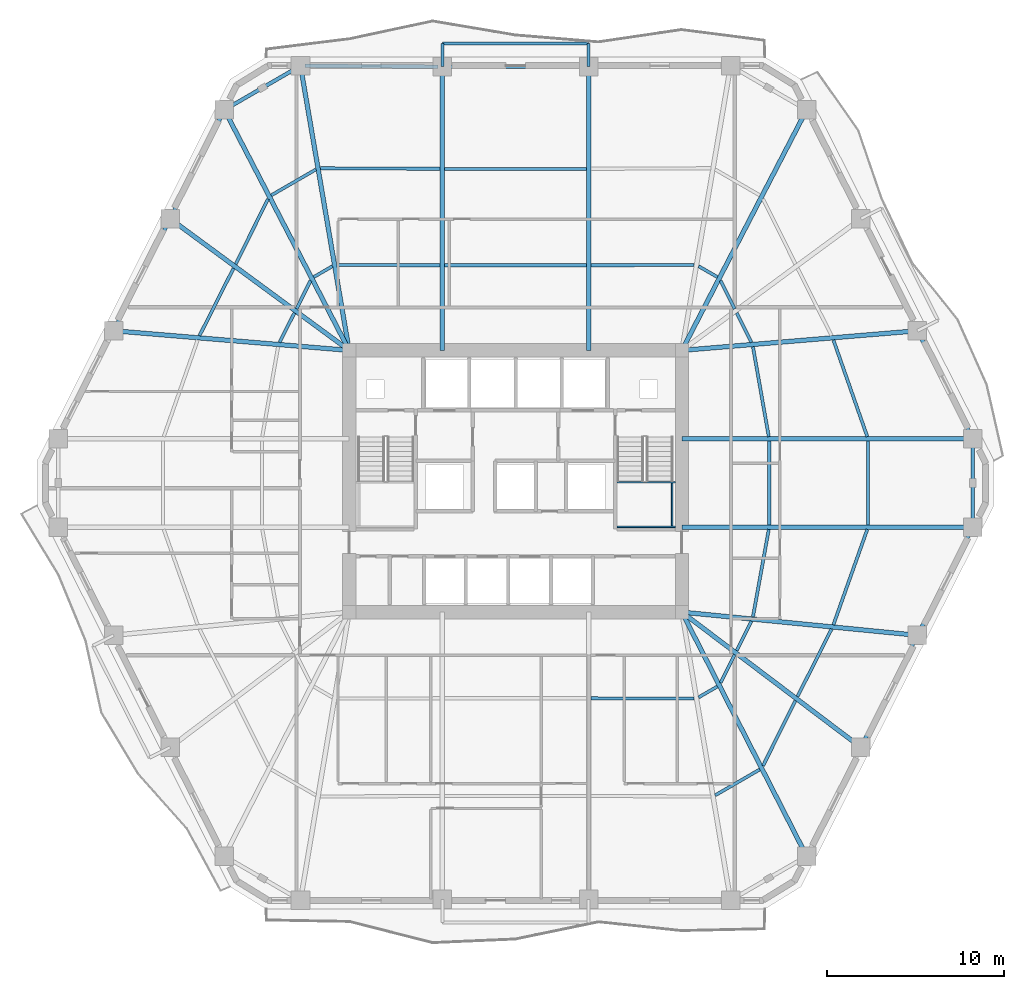
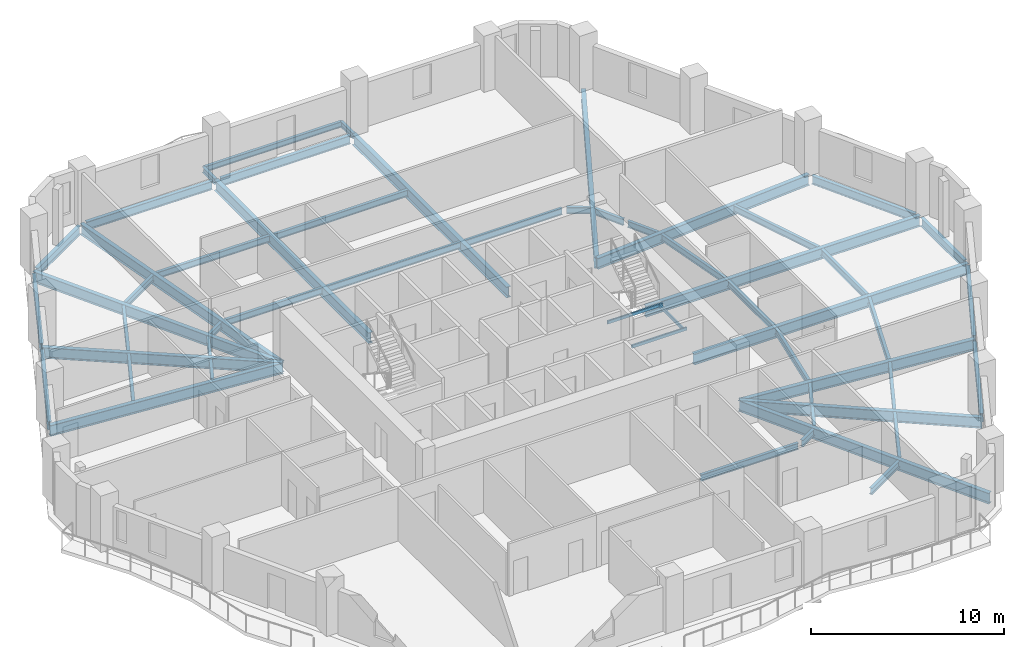
# One storey, part 2 of 10: 55 beams.
"""IFC4 building model written with IfcOpenShell, lengths in metres."""

from ifc_helpers import new_model, si_unit, direction, frame, origin, origin_2d, place, context, subcontext, project, spatial, hollow_rectangle, i_section, extrude, material, material_profile, profile_set, type_object, element, save


model = new_model("IFC4")

# Units and contexts
model_context = context("Model", 3, precision=1e-05, world=origin(), true_north=direction((0.0, 1.0)))
body_context = subcontext(model_context, "Body", "Model", "MODEL_VIEW")
ifc_project = project(units=[si_unit("LENGTHUNIT", "METRE"), si_unit("AREAUNIT", "SQUARE_METRE"), si_unit("VOLUMEUNIT", "CUBIC_METRE"), si_unit("PLANEANGLEUNIT", "RADIAN"), si_unit("MASSUNIT", "GRAM", prefix="KILO")], contexts=[model_context])

# Site, building, storey
site_placement = place(None, origin())
site = spatial("IfcSite", under=ifc_project, at=site_placement, CompositionType="ELEMENT")
building_placement = place(site_placement, origin())
building = spatial("IfcBuilding", under=site, at=building_placement, Name="Cinnabar Lancet Tower", CompositionType="ELEMENT")
storey_placement = place(building_placement, frame((0.0, 0.0, 87.10009765625)))
storey = spatial("IfcBuildingStorey", under=building, at=storey_placement, Name="L22", CompositionType="ELEMENT", Elevation=87.10009765625)

# Beams
ifc_material_1 = material(Name="Structural steel S355", Category="steel")
ifc_material_profile_1 = material_profile(ifc_material_1, i_section(OverallWidth=0.177978515625, OverallDepth=0.406494140625, WebThickness=0.0078125, FlangeThickness=0.0126953125, FilletRadius=0.01025390625, at=origin_2d()), Name="UKB 406x178x60")
ifc_profile_set_1 = profile_set([ifc_material_profile_1], Name="Structural steel S355")
beam_type_1 = type_object("IfcBeamType", Name="STR-BM-JST-406", PredefinedType="JOIST", material=ifc_profile_set_1)
beam_1_placement = place(storey_placement, frame((36.64892578125, 13.669921875, -0.423095703125), z_axis=(0.999996726205, -0.002558823789, 0.0), x_axis=(0.002558823789, 0.999996726205, 0.0)))
element("IfcBeam", 1, at=beam_1_placement, inside=storey, type_object=beam_type_1, Name="L22 Secondary Floor Joist 14", PredefinedType="JOIST", context=body_context, shape_type="SweptSolid", body=[
    extrude(i_section(OverallWidth=0.177978515625, OverallDepth=0.406494140625, WebThickness=0.0078125, FlangeThickness=0.0126953125, FilletRadius=0.01025390625, at=origin_2d()), origin(), (0.0, 0.0, 1.0), 5.820068359375),
])
beam_2_placement = place(storey_placement, frame((43.64697265625, 8.201904296875, -0.423095703125), z_axis=(0.865230791262, 0.501373790551, 0.0), x_axis=(-0.501373790551, 0.865230791262, 0.0)))
element("IfcBeam", 2, at=beam_2_placement, inside=storey, type_object=beam_type_1, Name="L22 Secondary Floor Joist 15", PredefinedType="JOIST", context=body_context, shape_type="SweptSolid", body=[
    extrude(i_section(OverallWidth=0.177978515625, OverallDepth=0.406494140625, WebThickness=0.0078125, FlangeThickness=0.0126953125, FilletRadius=0.01025390625, at=origin_2d()), origin(), (0.0, 0.0, 1.0), 2.907958984375),
])
beam_3_placement = place(storey_placement, frame((42.715087890625, 13.721923828125, -0.423095703125), z_axis=(0.864870018283, 0.501995867986, 0.0), x_axis=(-0.501995867986, 0.864870018283, 0.0)))
element("IfcBeam", 3, at=beam_3_placement, inside=storey, type_object=beam_type_1, Name="L22 Secondary Floor Joist 16", PredefinedType="JOIST", context=body_context, shape_type="SweptSolid", body=[
    extrude(i_section(OverallWidth=0.177978515625, OverallDepth=0.406494140625, WebThickness=0.0078125, FlangeThickness=0.0126953125, FilletRadius=0.01025390625, at=origin_2d()), origin(), (0.0, 0.0, 1.0), 1.22314453125),
])
beam_4_placement = place(storey_placement, frame((46.343017578125, 9.864990234375, -0.423095703125), z_axis=(0.445831561814, 0.895116874207, 0.0), x_axis=(-0.895116874207, 0.445831561814, 0.0)))
element("IfcBeam", 4, at=beam_4_placement, inside=storey, type_object=beam_type_1, Name="L22 Secondary Floor Joist 17", PredefinedType="JOIST", context=body_context, shape_type="SweptSolid", body=[
    extrude(i_section(OverallWidth=0.177978515625, OverallDepth=0.406494140625, WebThickness=0.0078125, FlangeThickness=0.0126953125, FilletRadius=0.01025390625, at=origin_2d()), origin(), (0.0, 0.0, 1.0), 4.099853515625),
])
beam_5_placement = place(storey_placement, frame((43.9541015625, 14.541015625, -0.423095703125), z_axis=(0.445778141453, 0.895143479339, 0.0), x_axis=(-0.895143479339, 0.445778141453, 0.0)))
element("IfcBeam", 5, at=beam_5_placement, inside=storey, type_object=beam_type_1, Name="L22 Secondary Floor Joist 18", PredefinedType="JOIST", context=body_context, shape_type="SweptSolid", body=[
    extrude(i_section(OverallWidth=0.177978515625, OverallDepth=0.406494140625, WebThickness=0.0078125, FlangeThickness=0.0126953125, FilletRadius=0.01025390625, at=origin_2d()), origin(), (0.0, 0.0, 1.0), 1.76953125),
])
beam_6_placement = place(storey_placement, frame((48.287109375, 13.76611328125, -0.423095703125), z_axis=(0.450763900798, 0.892643213012, 0.0), x_axis=(-0.892643213012, 0.450763900798, 0.0)))
element("IfcBeam", 6, at=beam_6_placement, inside=storey, type_object=beam_type_1, Name="L22 Secondary Floor Joist 19", PredefinedType="JOIST", context=body_context, shape_type="SweptSolid", body=[
    extrude(i_section(OverallWidth=0.177978515625, OverallDepth=0.406494140625, WebThickness=0.0078125, FlangeThickness=0.0126953125, FilletRadius=0.01025390625, at=origin_2d()), origin(), (0.0, 0.0, 1.0), 4.25927734375),
])
beam_7_placement = place(storey_placement, frame((44.85791015625, 16.35498046875, -0.423095703125), z_axis=(0.450944553771, 0.892551964551, 0.0), x_axis=(-0.892551964551, 0.450944553771, 0.0)))
element("IfcBeam", 7, at=beam_7_placement, inside=storey, type_object=beam_type_1, Name="L22 Secondary Floor Joist 20", PredefinedType="JOIST", context=body_context, shape_type="SweptSolid", body=[
    extrude(i_section(OverallWidth=0.177978515625, OverallDepth=0.406494140625, WebThickness=0.0078125, FlangeThickness=0.0126953125, FilletRadius=0.01025390625, at=origin_2d()), origin(), (0.0, 0.0, 1.0), 1.8564453125),
])
beam_8_placement = place(storey_placement, frame((50.31201171875, 17.81298828125, -0.423095703125), z_axis=(0.334725039774, 0.942315842883, 0.0), x_axis=(-0.942315842883, 0.334725039774, 0.0)))
element("IfcBeam", 8, at=beam_8_placement, inside=storey, type_object=beam_type_1, Name="L22 Secondary Floor Joist 21", PredefinedType="JOIST", context=body_context, shape_type="SweptSolid", body=[
    extrude(i_section(OverallWidth=0.177978515625, OverallDepth=0.406494140625, WebThickness=0.0078125, FlangeThickness=0.0126953125, FilletRadius=0.01025390625, at=origin_2d()), origin(), (0.0, 0.0, 1.0), 5.702880859375),
])
beam_9_placement = place(storey_placement, frame((45.779052734375, 18.259033203125, -0.423095703125), z_axis=(0.177894326387, 0.984049596636, 0.0), x_axis=(-0.984049596636, 0.177894326387, 0.0)))
element("IfcBeam", 9, at=beam_9_placement, inside=storey, type_object=beam_type_1, Name="L22 Secondary Floor Joist 22", PredefinedType="JOIST", context=body_context, shape_type="SweptSolid", body=[
    extrude(i_section(OverallWidth=0.177978515625, OverallDepth=0.406494140625, WebThickness=0.0078125, FlangeThickness=0.0126953125, FilletRadius=0.01025390625, at=origin_2d()), origin(), (0.0, 0.0, 1.0), 5.0078125),
])
for number, where, z_axis, x_axis, name in (
    (10, (52.26708984375, 23.44091796875, -0.423095703125), (0.0, 1.0, 0.0), (-1.0, 0.0, 0.0), "L22 Secondary Floor Joist 23"),
    (11, (46.693115234375, 23.44091796875, -0.423095703125), (0.0, 1.0, 0.0), (-1.0, 0.0, 0.0), "L22 Secondary Floor Joist 24"),
):
    element("IfcBeam", number, at=place(storey_placement, frame(where, z_axis=z_axis, x_axis=x_axis)), inside=storey, type_object=beam_type_1, Name=name, PredefinedType="JOIST", context=body_context, shape_type="SweptSolid", body=[
        extrude(i_section(OverallWidth=0.177978515625, OverallDepth=0.406494140625, WebThickness=0.0078125, FlangeThickness=0.0126953125, FilletRadius=0.01025390625, at=origin_2d()), origin(), (0.0, 0.0, 1.0), 4.718017578125),
    ])
beam_10_placement = place(storey_placement, frame((52.221923828125, 28.4130859375, -0.423095703125), z_axis=(-0.330949596087, 0.943648432866, 0.0), x_axis=(-0.943648432866, -0.330949596087, 0.0)))
element("IfcBeam", 12, at=beam_10_placement, inside=storey, type_object=beam_type_1, Name="L22 Secondary Floor Joist 25", PredefinedType="JOIST", context=body_context, shape_type="SweptSolid", body=[
    extrude(i_section(OverallWidth=0.177978515625, OverallDepth=0.406494140625, WebThickness=0.0078125, FlangeThickness=0.0126953125, FilletRadius=0.01025390625, at=origin_2d()), origin(), (0.0, 0.0, 1.0), 5.77099609375),
])
beam_11_placement = place(storey_placement, frame((46.6708984375, 28.4130859375, -0.423095703125), z_axis=(-0.173501142861, 0.984833667898, 0.0), x_axis=(-0.984833667898, -0.173501142861, 0.0)))
element("IfcBeam", 13, at=beam_11_placement, inside=storey, type_object=beam_type_1, Name="L22 Secondary Floor Joist 26", PredefinedType="JOIST", context=body_context, shape_type="SweptSolid", body=[
    extrude(i_section(OverallWidth=0.177978515625, OverallDepth=0.406494140625, WebThickness=0.0078125, FlangeThickness=0.0126953125, FilletRadius=0.01025390625, at=origin_2d()), origin(), (0.0, 0.0, 1.0), 5.14599609375),
])
beam_12_placement = place(storey_placement, frame((45.695068359375, 33.72900390625, -0.423095703125), z_axis=(-0.451156365602, 0.892444919184, 0.0), x_axis=(-0.892444919184, -0.451156365602, 0.0)))
element("IfcBeam", 14, at=beam_12_placement, inside=storey, type_object=beam_type_1, Name="L22 Secondary Floor Joist 28", PredefinedType="JOIST", context=body_context, shape_type="SweptSolid", body=[
    extrude(i_section(OverallWidth=0.177978515625, OverallDepth=0.406494140625, WebThickness=0.0078125, FlangeThickness=0.0126953125, FilletRadius=0.01025390625, at=origin_2d()), origin(), (0.0, 0.0, 1.0), 1.85546875),
])
beam_13_placement = place(storey_placement, frame((44.742919921875, 35.614990234375, -0.423095703125), z_axis=(-0.446110386834, 0.894977945404, 0.0), x_axis=(-0.894977945404, -0.446110386834, 0.0)))
element("IfcBeam", 15, at=beam_13_placement, inside=storey, type_object=beam_type_1, Name="L22 Secondary Floor Joist 30", PredefinedType="JOIST", context=body_context, shape_type="SweptSolid", body=[
    extrude(i_section(OverallWidth=0.177978515625, OverallDepth=0.406494140625, WebThickness=0.0078125, FlangeThickness=0.0126953125, FilletRadius=0.01025390625, at=origin_2d()), origin(), (0.0, 0.0, 1.0), 1.77099609375),
])
beam_14_placement = place(storey_placement, frame((43.77392578125, 37.404052734375, -0.423095703125), z_axis=(-0.865071007494, 0.501649431369, 0.0), x_axis=(-0.501649431369, -0.865071007494, 0.0)))
element("IfcBeam", 16, at=beam_14_placement, inside=storey, type_object=beam_type_1, Name="L22 Secondary Floor Joist 32", PredefinedType="JOIST", context=body_context, shape_type="SweptSolid", body=[
    extrude(i_section(OverallWidth=0.177978515625, OverallDepth=0.406494140625, WebThickness=0.0078125, FlangeThickness=0.0126953125, FilletRadius=0.01025390625, at=origin_2d()), origin(), (0.0, 0.0, 1.0), 1.223876953125),
])
beam_15_placement = place(storey_placement, frame((42.468994140625, 38.0849609375, -0.423095703125), z_axis=(-0.999996726205, -0.002558823789, 0.0), x_axis=(0.002558823789, -0.999996726205, 0.0)))
element("IfcBeam", 17, at=beam_15_placement, inside=storey, type_object=beam_type_1, Name="L22 Secondary Floor Joist 34", PredefinedType="JOIST", context=body_context, shape_type="SweptSolid", body=[
    extrude(i_section(OverallWidth=0.177978515625, OverallDepth=0.406494140625, WebThickness=0.0078125, FlangeThickness=0.0126953125, FilletRadius=0.01025390625, at=origin_2d()), origin(), (0.0, 0.0, 1.0), 5.820068359375),
])
for number, where, z_axis, x_axis, name in (
    (18, (36.39501953125, 43.50390625, -0.423095703125), (-1.0, 0.0, 0.0), (0.0, -1.0, 0.0), "L22 Secondary Floor Joist 35"),
    (19, (36.39501953125, 38.070068359375, -0.423095703125), (-1.0, 0.0, 0.0), (0.0, -1.0, 0.0), "L22 Secondary Floor Joist 36"),
):
    element("IfcBeam", number, at=place(storey_placement, frame(where, z_axis=z_axis, x_axis=x_axis)), inside=storey, type_object=beam_type_1, Name=name, PredefinedType="JOIST", context=body_context, shape_type="SweptSolid", body=[
        extrude(i_section(OverallWidth=0.177978515625, OverallDepth=0.406494140625, WebThickness=0.0078125, FlangeThickness=0.0126953125, FilletRadius=0.01025390625, at=origin_2d()), origin(), (0.0, 0.0, 1.0), 7.989990234375),
    ])
beam_16_placement = place(storey_placement, frame((28.15087890625, 43.5048828125, -0.423095703125), z_axis=(-0.99998860979, 0.004772870136, 0.0), x_axis=(-0.004772870136, -0.99998860979, 0.0)))
element("IfcBeam", 20, at=beam_16_placement, inside=storey, type_object=beam_type_1, Name="L22 Secondary Floor Joist 37", PredefinedType="JOIST", context=body_context, shape_type="SweptSolid", body=[
    extrude(i_section(OverallWidth=0.177978515625, OverallDepth=0.406494140625, WebThickness=0.0078125, FlangeThickness=0.0126953125, FilletRadius=0.01025390625, at=origin_2d()), origin(), (0.0, 0.0, 1.0), 6.751953125),
])
beam_17_placement = place(storey_placement, frame((28.15087890625, 38.070068359375, -0.423095703125), z_axis=(-0.99999672593, 0.00255893113, 0.0), x_axis=(-0.00255893113, -0.99999672593, 0.0)))
element("IfcBeam", 21, at=beam_17_placement, inside=storey, type_object=beam_type_1, Name="L22 Secondary Floor Joist 38", PredefinedType="JOIST", context=body_context, shape_type="SweptSolid", body=[
    extrude(i_section(OverallWidth=0.177978515625, OverallDepth=0.406494140625, WebThickness=0.0078125, FlangeThickness=0.0126953125, FilletRadius=0.01025390625, at=origin_2d()), origin(), (0.0, 0.0, 1.0), 5.81982421875),
])
beam_18_placement = place(storey_placement, frame((21.153076171875, 43.469970703125, -0.423095703125), z_axis=(-0.865230791262, -0.501373790551, 0.0), x_axis=(0.501373790551, -0.865230791262, 0.0)))
element("IfcBeam", 22, at=beam_18_placement, inside=storey, type_object=beam_type_1, Name="L22 Secondary Floor Joist 39", PredefinedType="JOIST", context=body_context, shape_type="SweptSolid", body=[
    extrude(i_section(OverallWidth=0.177978515625, OverallDepth=0.406494140625, WebThickness=0.0078125, FlangeThickness=0.0126953125, FilletRadius=0.01025390625, at=origin_2d()), origin(), (0.0, 0.0, 1.0), 2.907958984375),
])
beam_19_placement = place(storey_placement, frame((22.0849609375, 38.01806640625, -0.423095703125), z_axis=(-0.865121189797, -0.501562884357, 0.0), x_axis=(0.501562884357, -0.865121189797, 0.0)))
element("IfcBeam", 23, at=beam_19_placement, inside=storey, type_object=beam_type_1, Name="L22 Secondary Floor Joist 40", PredefinedType="JOIST", context=body_context, shape_type="SweptSolid", body=[
    extrude(i_section(OverallWidth=0.177978515625, OverallDepth=0.406494140625, WebThickness=0.0078125, FlangeThickness=0.0126953125, FilletRadius=0.01025390625, at=origin_2d()), origin(), (0.0, 0.0, 1.0), 1.22412109375),
])
beam_20_placement = place(storey_placement, frame((18.45703125, 41.80810546875, -0.423095703125), z_axis=(-0.445665476617, -0.895199577163, 0.0), x_axis=(0.895199577163, -0.445665476617, 0.0)))
element("IfcBeam", 24, at=beam_20_placement, inside=storey, type_object=beam_type_1, Name="L22 Secondary Floor Joist 41", PredefinedType="JOIST", context=body_context, shape_type="SweptSolid", body=[
    extrude(i_section(OverallWidth=0.177978515625, OverallDepth=0.406494140625, WebThickness=0.0078125, FlangeThickness=0.0126953125, FilletRadius=0.01025390625, at=origin_2d()), origin(), (0.0, 0.0, 1.0), 4.10205078125),
])
beam_21_placement = place(storey_placement, frame((20.846923828125, 37.199951171875, -0.423095703125), z_axis=(-0.446110386834, -0.894977945404, 0.0), x_axis=(0.894977945404, -0.446110386834, 0.0)))
element("IfcBeam", 25, at=beam_21_placement, inside=storey, type_object=beam_type_1, Name="L22 Secondary Floor Joist 42", PredefinedType="JOIST", context=body_context, shape_type="SweptSolid", body=[
    extrude(i_section(OverallWidth=0.177978515625, OverallDepth=0.406494140625, WebThickness=0.0078125, FlangeThickness=0.0126953125, FilletRadius=0.01025390625, at=origin_2d()), origin(), (0.0, 0.0, 1.0), 1.77099609375),
])
beam_22_placement = place(storey_placement, frame((16.512939453125, 37.906005859375, -0.423095703125), z_axis=(-0.450763900798, -0.892643213012, 0.0), x_axis=(0.892643213012, -0.450763900798, 0.0)))
element("IfcBeam", 26, at=beam_22_placement, inside=storey, type_object=beam_type_1, Name="L22 Secondary Floor Joist 43", PredefinedType="JOIST", context=body_context, shape_type="SweptSolid", body=[
    extrude(i_section(OverallWidth=0.177978515625, OverallDepth=0.406494140625, WebThickness=0.0078125, FlangeThickness=0.0126953125, FilletRadius=0.01025390625, at=origin_2d()), origin(), (0.0, 0.0, 1.0), 4.25927734375),
])
beam_23_placement = place(storey_placement, frame((19.94189453125, 35.385009765625, -0.423095703125), z_axis=(-0.451051565643, -0.892497890827, 0.0), x_axis=(0.892497890827, -0.451051565643, 0.0)))
element("IfcBeam", 27, at=beam_23_placement, inside=storey, type_object=beam_type_1, Name="L22 Secondary Floor Joist 44", PredefinedType="JOIST", context=body_context, shape_type="SweptSolid", body=[
    extrude(i_section(OverallWidth=0.177978515625, OverallDepth=0.406494140625, WebThickness=0.0078125, FlangeThickness=0.0126953125, FilletRadius=0.01025390625, at=origin_2d()), origin(), (0.0, 0.0, 1.0), 1.85546875),
])
ifc_material_2 = material(Name="Structural steel S355", Category="steel")
ifc_material_profile_2 = material_profile(ifc_material_2, hollow_rectangle(XDim=0.10009765625, YDim=0.199951171875, WallThickness=0.008056640625, InnerFilletRadius=0.00390625, OuterFilletRadius=0.011962890625, at=origin_2d()), Name="RHS 200x100x8")
ifc_profile_set_2 = profile_set([ifc_material_profile_2], Name="Structural steel S355")
beam_type_2 = type_object("IfcBeamType", Name="STR-BM-LND-203", PredefinedType="BEAM", material=ifc_profile_set_2)
for number, where, z_axis, x_axis, name in (
    (28, (38.1201171875, 23.330078125, 1.474853515625), (1.0, 0.0, 0.0), (0.0, 1.0, 0.0), "L22 ST-2-L22 Landing Support Beam S"),
    (29, (38.1201171875, 25.844970703125, 1.474853515625), (1.0, 0.0, 0.0), (0.0, 1.0, 0.0), "L22 ST-2-L22 Landing Support Beam N"),
):
    element("IfcBeam", number, at=place(storey_placement, frame(where, z_axis=z_axis, x_axis=x_axis)), inside=storey, type_object=beam_type_2, Name=name, PredefinedType="BEAM", context=body_context, shape_type="SweptSolid", body=[
        extrude(hollow_rectangle(XDim=0.10009765625, YDim=0.199951171875, WallThickness=0.008056640625, InnerFilletRadius=0.00390625, OuterFilletRadius=0.011962890625, at=origin_2d()), origin(), (0.0, 0.0, 1.0), 3.27978515625),
    ])
beam_24_placement = place(storey_placement, frame((41.219970703125, 23.3798828125, 1.474853515625), z_axis=(0.0, 1.0, 0.0), x_axis=(-1.0, 0.0, 0.0)))
element("IfcBeam", 30, at=beam_24_placement, inside=storey, type_object=beam_type_2, Name="L22 ST-2-L22 Landing Side Trimmer Beam", PredefinedType="BEAM", context=body_context, shape_type="SweptSolid", body=[
    extrude(hollow_rectangle(XDim=0.10009765625, YDim=0.199951171875, WallThickness=0.008056640625, InnerFilletRadius=0.00390625, OuterFilletRadius=0.011962890625, at=origin_2d()), origin(), (0.0, 0.0, 1.0), 2.4150390625),
])
ifc_material_3 = material(Name="Structural steel S355", Category="steel")
ifc_material_profile_3 = material_profile(ifc_material_3, i_section(OverallWidth=0.209228515625, OverallDepth=0.533203125, WebThickness=0.010009765625, FlangeThickness=0.015625, FilletRadius=0.0126953125, at=origin_2d()), Name="UKB 533x210x92")
ifc_profile_set_3 = profile_set([ifc_material_profile_3], Name="Structural steel S355")
beam_type_3 = type_object("IfcBeamType", Name="STR-BM-SPN-533", PredefinedType="SPANDREL", material=ifc_profile_set_3)
beam_25_placement = place(storey_placement, frame((51.971923828125, 11.132080078125, -0.487060546875), z_axis=(0.450703143926, 0.892673891214, 0.0), x_axis=(-0.892673891214, 0.450703143926, 0.0)))
element("IfcBeam", 31, at=beam_25_placement, inside=storey, type_object=beam_type_3, Name="L22 Perimeter Spandrel 6", PredefinedType="SPANDREL", context=body_context, shape_type="SweptSolid", body=[
    extrude(i_section(OverallWidth=0.209228515625, OverallDepth=0.533203125, WebThickness=0.010009765625, FlangeThickness=0.015625, FilletRadius=0.0126953125, at=origin_2d()), origin(), (0.0, 0.0, 1.0), 6.570068359375),
])
beam_26_placement = place(storey_placement, frame((55.159912109375, 17.443115234375, -0.487060546875), z_axis=(0.456024522632, 0.889967209934, 0.0), x_axis=(-0.889967209934, 0.456024522632, 0.0)))
element("IfcBeam", 32, at=beam_26_placement, inside=storey, type_object=beam_type_3, Name="L22 Perimeter Spandrel 7", PredefinedType="SPANDREL", context=body_context, shape_type="SweptSolid", body=[
    extrude(i_section(OverallWidth=0.209228515625, OverallDepth=0.533203125, WebThickness=0.010009765625, FlangeThickness=0.015625, FilletRadius=0.0126953125, at=origin_2d()), origin(), (0.0, 0.0, 1.0), 6.34619140625),
])
beam_27_placement = place(storey_placement, frame((58.16796875, 23.56396484375, -0.487060546875), z_axis=(0.0, 1.0, 0.0), x_axis=(-1.0, 0.0, 0.0)))
element("IfcBeam", 33, at=beam_27_placement, inside=storey, type_object=beam_type_3, Name="L22 Perimeter Spandrel 8", PredefinedType="SPANDREL", context=body_context, shape_type="SweptSolid", body=[
    extrude(i_section(OverallWidth=0.209228515625, OverallDepth=0.533203125, WebThickness=0.010009765625, FlangeThickness=0.015625, FilletRadius=0.0126953125, at=origin_2d()), origin(), (0.0, 0.0, 1.0), 4.471923828125),
])
beam_28_placement = place(storey_placement, frame((58.053955078125, 28.509033203125, -0.487060546875), z_axis=(-0.456024522632, 0.889967209934, 0.0), x_axis=(-0.889967209934, -0.456024522632, 0.0)))
element("IfcBeam", 34, at=beam_28_placement, inside=storey, type_object=beam_type_3, Name="L22 Perimeter Spandrel 9", PredefinedType="SPANDREL", context=body_context, shape_type="SweptSolid", body=[
    extrude(i_section(OverallWidth=0.209228515625, OverallDepth=0.533203125, WebThickness=0.010009765625, FlangeThickness=0.015625, FilletRadius=0.0126953125, at=origin_2d()), origin(), (0.0, 0.0, 1.0), 6.34619140625),
])
beam_29_placement = place(storey_placement, frame((36.27197265625, 49.258056640625, -0.487060546875), z_axis=(-1.0, 0.0, 0.0), x_axis=(0.0, -1.0, 0.0)))
element("IfcBeam", 35, at=beam_29_placement, inside=storey, type_object=beam_type_3, Name="L22 Perimeter Spandrel 14", PredefinedType="SPANDREL", context=body_context, shape_type="SweptSolid", body=[
    extrude(i_section(OverallWidth=0.209228515625, OverallDepth=0.533203125, WebThickness=0.010009765625, FlangeThickness=0.015625, FilletRadius=0.0126953125, at=origin_2d()), origin(), (0.0, 0.0, 1.0), 7.743896484375),
])
beam_30_placement = place(storey_placement, frame((28.028076171875, 49.260009765625, -0.487060546875), z_axis=(-0.99997856757, 0.006547090947, 0.0), x_axis=(-0.006547090947, -0.99997856757, 0.0)))
element("IfcBeam", 36, at=beam_30_placement, inside=storey, type_object=beam_type_3, Name="L22 Perimeter Spandrel 15", PredefinedType="SPANDREL", context=body_context, shape_type="SweptSolid", body=[
    extrude(i_section(OverallWidth=0.209228515625, OverallDepth=0.533203125, WebThickness=0.010009765625, FlangeThickness=0.015625, FilletRadius=0.0126953125, at=origin_2d()), origin(), (0.0, 0.0, 1.0), 7.495361328125),
])
beam_31_placement = place(storey_placement, frame((20.06689453125, 49.18603515625, -0.487060546875), z_axis=(-0.865147238596, -0.501517951374, 0.0), x_axis=(0.501517951374, -0.865147238596, 0.0)))
element("IfcBeam", 37, at=beam_31_placement, inside=storey, type_object=beam_type_3, Name="L22 Perimeter Spandrel 16", PredefinedType="SPANDREL", context=body_context, shape_type="SweptSolid", body=[
    extrude(i_section(OverallWidth=0.209228515625, OverallDepth=0.533203125, WebThickness=0.010009765625, FlangeThickness=0.015625, FilletRadius=0.0126953125, at=origin_2d()), origin(), (0.0, 0.0, 1.0), 4.454833984375),
])
beam_32_placement = place(storey_placement, frame((15.885986328125, 46.60302734375, -0.487060546875), z_axis=(-0.445953050023, -0.89505635419, 0.0), x_axis=(0.89505635419, -0.445953050023, 0.0)))
element("IfcBeam", 38, at=beam_32_placement, inside=storey, type_object=beam_type_3, Name="L22 Perimeter Spandrel 17", PredefinedType="SPANDREL", context=body_context, shape_type="SweptSolid", body=[
    extrude(i_section(OverallWidth=0.209228515625, OverallDepth=0.533203125, WebThickness=0.010009765625, FlangeThickness=0.015625, FilletRadius=0.0126953125, at=origin_2d()), origin(), (0.0, 0.0, 1.0), 6.35498046875),
])
beam_33_placement = place(storey_placement, frame((12.827880859375, 40.468017578125, -0.487060546875), z_axis=(-0.450673532306, -0.892688841242, 0.0), x_axis=(0.892688841242, -0.450673532306, 0.0)))
element("IfcBeam", 39, at=beam_33_placement, inside=storey, type_object=beam_type_3, Name="L22 Perimeter Spandrel 18", PredefinedType="SPANDREL", context=body_context, shape_type="SweptSolid", body=[
    extrude(i_section(OverallWidth=0.209228515625, OverallDepth=0.533203125, WebThickness=0.010009765625, FlangeThickness=0.015625, FilletRadius=0.0126953125, at=origin_2d()), origin(), (0.0, 0.0, 1.0), 6.570068359375),
])
ifc_material_4 = material(Name="Structural steel S355", Category="steel")
ifc_material_profile_4 = material_profile(ifc_material_4, i_section(OverallWidth=0.253662109375, OverallDepth=0.68359375, WebThickness=0.012451171875, FlangeThickness=0.01904296875, FilletRadius=0.01513671875, at=origin_2d()), Name="UKB 686x254x140")
ifc_profile_set_4 = profile_set([ifc_material_profile_4], Name="Structural steel S355")
beam_type_4 = type_object("IfcBeamType", Name="STR-BM-UKB686-140", PredefinedType="BEAM", material=ifc_profile_set_4)
beam_34_placement = place(storey_placement, frame((51.85888671875, 10.908935546875, -0.56201171875), z_axis=(-0.797983154837, 0.602679752933, 0.0), x_axis=(-0.602679752933, -0.797983154837, 0.0)))
element("IfcBeam", 40, at=beam_34_placement, inside=storey, type_object=beam_type_4, Name="L22 Corner Collector Girder 2", PredefinedType="BEAM", context=body_context, shape_type="SweptSolid", body=[
    extrude(i_section(OverallWidth=0.253662109375, OverallDepth=0.68359375, WebThickness=0.012451171875, FlangeThickness=0.01904296875, FilletRadius=0.01513671875, at=origin_2d()), origin(), (0.0, 0.0, 1.0), 12.63671875),
])
beam_35_placement = place(storey_placement, frame((12.94091796875, 40.69091796875, -0.56201171875), z_axis=(0.805600633978, -0.592458959367, 0.0), x_axis=(0.592458959367, 0.805600633978, 0.0)))
element("IfcBeam", 41, at=beam_35_placement, inside=storey, type_object=beam_type_4, Name="L22 Corner Collector Girder 4", PredefinedType="BEAM", context=body_context, shape_type="SweptSolid", body=[
    extrude(i_section(OverallWidth=0.253662109375, OverallDepth=0.68359375, WebThickness=0.012451171875, FlangeThickness=0.01904296875, FilletRadius=0.01513671875, at=origin_2d()), origin(), (0.0, 0.0, 1.0), 12.517333984375),
])
beam_36_placement = place(storey_placement, frame((48.802978515625, 4.77294921875, -0.56201171875), z_axis=(-0.455075128525, 0.89045304615, 0.0), x_axis=(-0.89045304615, -0.455075128525, 0.0)))
element("IfcBeam", 42, at=beam_36_placement, inside=storey, type_object=beam_type_4, Name="L22 Primary Floor Girder 5", PredefinedType="BEAM", context=body_context, shape_type="SweptSolid", body=[
    extrude(i_section(OverallWidth=0.253662109375, OverallDepth=0.68359375, WebThickness=0.012451171875, FlangeThickness=0.01904296875, FilletRadius=0.01513671875, at=origin_2d()), origin(), (0.0, 0.0, 1.0), 15.44384765625),
])
beam_37_placement = place(storey_placement, frame((55.0458984375, 17.219970703125, -0.56201171875), z_axis=(-0.995200421983, 0.097857652149, 0.0), x_axis=(-0.097857652149, -0.995200421983, 0.0)))
element("IfcBeam", 43, at=beam_37_placement, inside=storey, type_object=beam_type_4, Name="L22 Primary Floor Girder 7", PredefinedType="BEAM", context=body_context, shape_type="SweptSolid", body=[
    extrude(i_section(OverallWidth=0.253662109375, OverallDepth=0.68359375, WebThickness=0.012451171875, FlangeThickness=0.01904296875, FilletRadius=0.01513671875, at=origin_2d()), origin(), (0.0, 0.0, 1.0), 13.3349609375),
])
for number, where, z_axis, x_axis, name in (
    (44, (58.16796875, 23.31396484375, -0.56201171875), (-1.0, 0.0, 0.0), (0.0, -1.0, 0.0), "L22 Primary Floor Girder 8"),
    (45, (58.16796875, 28.285888671875, -0.56201171875), (-1.0, 0.0, 0.0), (0.0, -1.0, 0.0), "L22 Primary Floor Girder 9"),
):
    element("IfcBeam", number, at=place(storey_placement, frame(where, z_axis=z_axis, x_axis=x_axis)), inside=storey, type_object=beam_type_4, Name=name, PredefinedType="BEAM", context=body_context, shape_type="SweptSolid", body=[
        extrude(i_section(OverallWidth=0.253662109375, OverallDepth=0.68359375, WebThickness=0.012451171875, FlangeThickness=0.01904296875, FilletRadius=0.01513671875, at=origin_2d()), origin(), (0.0, 0.0, 1.0), 16.39306640625),
    ])
beam_38_placement = place(storey_placement, frame((55.0458984375, 34.3798828125, -0.56201171875), z_axis=(-0.996551571824, -0.08297568737, 0.0), x_axis=(0.08297568737, -0.996551571824, 0.0)))
element("IfcBeam", 46, at=beam_38_placement, inside=storey, type_object=beam_type_4, Name="L22 Primary Floor Girder 10", PredefinedType="BEAM", context=body_context, shape_type="SweptSolid", body=[
    extrude(i_section(OverallWidth=0.253662109375, OverallDepth=0.68359375, WebThickness=0.012451171875, FlangeThickness=0.01904296875, FilletRadius=0.01513671875, at=origin_2d()), origin(), (0.0, 0.0, 1.0), 13.31689453125),
])
beam_39_placement = place(storey_placement, frame((48.802978515625, 46.826904296875, -0.56201171875), z_axis=(-0.4603745807, -0.887724757706, 0.0), x_axis=(0.887724757706, -0.4603745807, 0.0)))
element("IfcBeam", 47, at=beam_39_placement, inside=storey, type_object=beam_type_4, Name="L22 Primary Floor Girder 12", PredefinedType="BEAM", context=body_context, shape_type="SweptSolid", body=[
    extrude(i_section(OverallWidth=0.253662109375, OverallDepth=0.68359375, WebThickness=0.012451171875, FlangeThickness=0.01904296875, FilletRadius=0.01513671875, at=origin_2d()), origin(), (0.0, 0.0, 1.0), 15.26611328125),
])
for number, where, z_axis, x_axis, name in (
    (48, (36.52197265625, 49.258056640625, -0.56201171875), (0.0, -1.0, 0.0), (1.0, 0.0, 0.0), "L22 Primary Floor Girder 14"),
    (49, (28.278076171875, 49.258056640625, -0.56201171875), (0.0, -1.0, 0.0), (1.0, 0.0, 0.0), "L22 Primary Floor Girder 15"),
):
    element("IfcBeam", number, at=place(storey_placement, frame(where, z_axis=z_axis, x_axis=x_axis)), inside=storey, type_object=beam_type_4, Name=name, PredefinedType="BEAM", context=body_context, shape_type="SweptSolid", body=[
        extrude(i_section(OverallWidth=0.253662109375, OverallDepth=0.68359375, WebThickness=0.012451171875, FlangeThickness=0.01904296875, FilletRadius=0.01513671875, at=origin_2d()), origin(), (0.0, 0.0, 1.0), 15.983154296875),
    ])
beam_40_placement = place(storey_placement, frame((20.282958984375, 49.31103515625, -0.56201171875), z_axis=(0.16853936554, -0.985694923525, 0.0), x_axis=(0.985694923525, 0.16853936554, 0.0)))
element("IfcBeam", 50, at=beam_40_placement, inside=storey, type_object=beam_type_4, Name="L22 Primary Floor Girder 16", PredefinedType="BEAM", context=body_context, shape_type="SweptSolid", body=[
    extrude(i_section(OverallWidth=0.253662109375, OverallDepth=0.68359375, WebThickness=0.012451171875, FlangeThickness=0.01904296875, FilletRadius=0.01513671875, at=origin_2d()), origin(), (0.0, 0.0, 1.0), 16.268798828125),
])
beam_41_placement = place(storey_placement, frame((15.9970703125, 46.826904296875, -0.56201171875), z_axis=(0.460361977629, -0.887731293553, 0.0), x_axis=(0.887731293553, 0.460361977629, 0.0)))
element("IfcBeam", 51, at=beam_41_placement, inside=storey, type_object=beam_type_4, Name="L22 Primary Floor Girder 17", PredefinedType="BEAM", context=body_context, shape_type="SweptSolid", body=[
    extrude(i_section(OverallWidth=0.253662109375, OverallDepth=0.68359375, WebThickness=0.012451171875, FlangeThickness=0.01904296875, FilletRadius=0.01513671875, at=origin_2d()), origin(), (0.0, 0.0, 1.0), 15.265869140625),
])
beam_42_placement = place(storey_placement, frame((9.75390625, 34.3798828125, -0.56201171875), z_axis=(0.996551571824, -0.08297568737, 0.0), x_axis=(0.08297568737, 0.996551571824, 0.0)))
element("IfcBeam", 52, at=beam_42_placement, inside=storey, type_object=beam_type_4, Name="L22 Primary Floor Girder 19", PredefinedType="BEAM", context=body_context, shape_type="SweptSolid", body=[
    extrude(i_section(OverallWidth=0.253662109375, OverallDepth=0.68359375, WebThickness=0.012451171875, FlangeThickness=0.01904296875, FilletRadius=0.01513671875, at=origin_2d()), origin(), (0.0, 0.0, 1.0), 13.31689453125),
])
ifc_material_5 = material(Name="Structural steel S355", Category="steel")
ifc_material_profile_5 = material_profile(ifc_material_5, i_section(OverallWidth=0.17138671875, OverallDepth=0.35498046875, WebThickness=0.00732421875, FlangeThickness=0.011474609375, FilletRadius=0.01025390625, at=origin_2d()), Name="UKB 356x171x51")
ifc_profile_set_5 = profile_set([ifc_material_profile_5], Name="Structural steel S355")
beam_type_5 = type_object("IfcBeamType", Name="STR-BM-WAV-OUT", PredefinedType="BEAM", material=ifc_profile_set_5)
for number, where, z_axis, x_axis, name in (
    (53, (36.52197265625, 49.258056640625, -0.397216796875), (0.0, 1.0, 0.0), (-1.0, 0.0, 0.0), "L22 Face 4 Balcony Outlooker A"),
    (54, (28.278076171875, 49.258056640625, -0.397216796875), (0.0, 1.0, 0.0), (-1.0, 0.0, 0.0), "L22 Face 4 Balcony Outlooker B"),
):
    element("IfcBeam", number, at=place(storey_placement, frame(where, z_axis=z_axis, x_axis=x_axis)), inside=storey, type_object=beam_type_5, Name=name, PredefinedType="BEAM", context=body_context, shape_type="SweptSolid", body=[
        extrude(i_section(OverallWidth=0.17138671875, OverallDepth=0.35498046875, WebThickness=0.00732421875, FlangeThickness=0.011474609375, FilletRadius=0.01025390625, at=origin_2d()), origin(), (0.0, 0.0, 1.0), 1.300048828125),
    ])
ifc_material_6 = material(Name="Structural steel S355", Category="steel")
ifc_material_profile_6 = material_profile(ifc_material_6, i_section(OverallWidth=0.17138671875, OverallDepth=0.35498046875, WebThickness=0.00732421875, FlangeThickness=0.011474609375, FilletRadius=0.01025390625, at=origin_2d()), Name="UKB 356x171x51")
ifc_profile_set_6 = profile_set([ifc_material_profile_6], Name="Structural steel S355")
beam_type_6 = type_object("IfcBeamType", Name="STR-BM-WAV-TRIM", PredefinedType="SPANDREL", material=ifc_profile_set_6)
beam_43_placement = place(storey_placement, frame((36.52197265625, 50.55810546875, -0.397216796875), z_axis=(-1.0, 0.0, 0.0), x_axis=(0.0, -1.0, 0.0)))
element("IfcBeam", 55, at=beam_43_placement, inside=storey, type_object=beam_type_6, Name="L22 Face 4 Balcony Edge Trimmer", PredefinedType="SPANDREL", context=body_context, shape_type="SweptSolid", body=[
    extrude(i_section(OverallWidth=0.17138671875, OverallDepth=0.35498046875, WebThickness=0.00732421875, FlangeThickness=0.011474609375, FilletRadius=0.01025390625, at=origin_2d()), origin(), (0.0, 0.0, 1.0), 8.243896484375),
])

save(model, "model.ifc")
